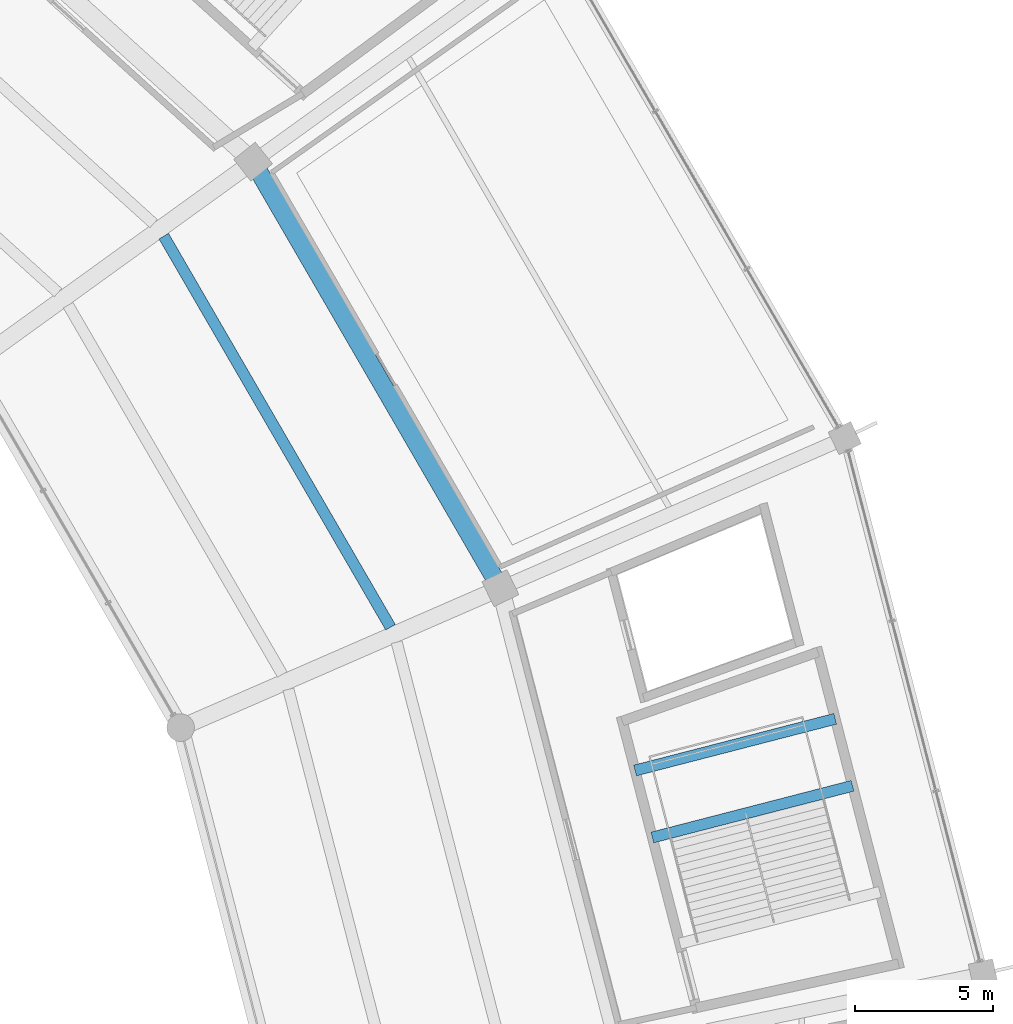
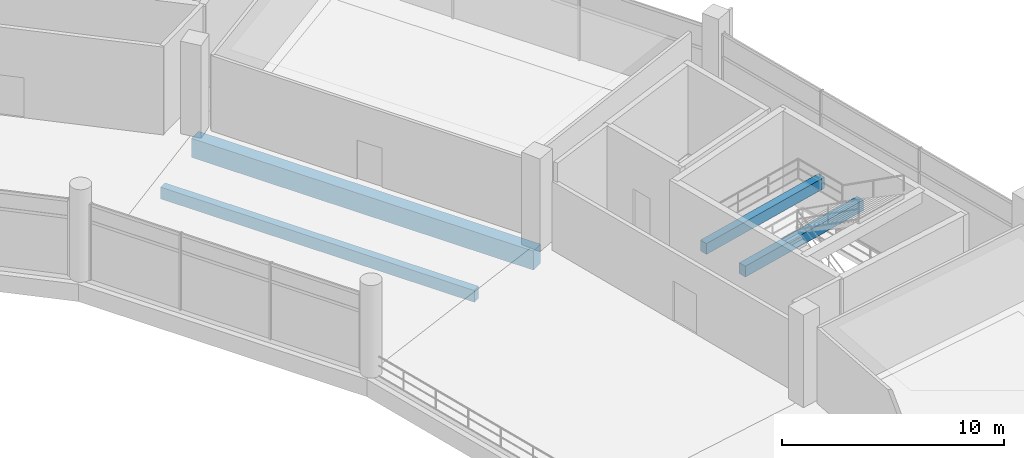
# One storey, part 84 of 184: 4 beams.
"""IFC4 building model written with IfcOpenShell, lengths in metres."""

from ifc_helpers import new_model, si_unit, direction, frame, origin, origin_2d, place, context, subcontext, project, spatial, rectangle, extrude, material, material_profile, profile_set, type_object, element, save


model = new_model("IFC4")

# Units and contexts
model_context = context("Model", 3, precision=1e-05, world=origin(), true_north=direction((0.0, 1.0)))
body_context = subcontext(model_context, "Body", "Model", "MODEL_VIEW")
ifc_project = project(units=[si_unit("LENGTHUNIT", "METRE"), si_unit("AREAUNIT", "SQUARE_METRE"), si_unit("VOLUMEUNIT", "CUBIC_METRE"), si_unit("PLANEANGLEUNIT", "RADIAN"), si_unit("MASSUNIT", "GRAM", prefix="KILO")], contexts=[model_context])

# Site, building, storey
site_placement = place(None, origin())
site = spatial("IfcSite", under=ifc_project, at=site_placement, CompositionType="ELEMENT")
building_placement = place(site_placement, origin())
building = spatial("IfcBuilding", under=site, at=building_placement, Name="Kazemori Nagisa Stadium", CompositionType="ELEMENT")
storey_placement = place(building_placement, frame((0.0, 0.0, 10.5400390625)))
storey = spatial("IfcBuildingStorey", under=building, at=storey_placement, Name="L02", CompositionType="ELEMENT", Elevation=10.5400390625)

# Beams
ifc_material = material(Name="Concrete C40/50 (Fc42)", Category="concrete")
ifc_material_profile_1 = material_profile(ifc_material, rectangle(XDim=0.39990234375, YDim=0.60009765625, at=origin_2d()), Name="RC-BM-400x600")
ifc_profile_set_1 = profile_set([ifc_material_profile_1], Name="Concrete C40/50 (Fc42)")
beam_type_1 = type_object("IfcBeamType", Name="Beam_BG-LND400X600", PredefinedType="BEAM", material=ifc_profile_set_1)
for number, where, z_axis, x_axis, name in (
    (1, (204.930908203125, 126.3173828125, 2.050048828125), (0.968250528141, 0.249981828849, 0.0), (-0.249981828849, 0.968250528141, 0.0), "Core stair mid-landing girder ST07-L02-1"),
    (2, (204.305908203125, 128.738037109375, 2.050048828125), (0.968250528141, 0.249981828849, 0.0), (-0.249981828849, 0.968250528141, 0.0), "Core stair mid-landing girder ST07-L02-2"),
):
    element("IfcBeam", number, at=place(storey_placement, frame(where, z_axis=z_axis, x_axis=x_axis)), inside=storey, type_object=beam_type_1, Name=name, PredefinedType="BEAM", context=body_context, shape_type="SweptSolid", body=[
        extrude(rectangle(XDim=0.39990234375, YDim=0.60009765625, at=origin_2d()), origin(), (0.0, 0.0, 1.0), 7.46826171875),
    ])
ifc_material_profile_2 = material_profile(ifc_material, rectangle(XDim=0.64990234375, YDim=1.050048828125, at=origin_2d()), Name="RC-BM-650x1050")
ifc_profile_set_2 = profile_set([ifc_material_profile_2], Name="Concrete C40/50 (Fc42)")
beam_type_2 = type_object("IfcBeamType", Name="Beam_BG-RC650X1050", PredefinedType="BEAM", material=ifc_profile_set_2)
beam_1_placement = place(storey_placement, frame((199.44091796875, 135.32470703125, -0.78515625), z_axis=(-0.501606704589, 0.865095783085, 0.0), x_axis=(-0.865095783085, -0.501606704589, 0.0)))
element("IfcBeam", 3, at=beam_1_placement, inside=storey, type_object=beam_type_2, Name="Ring girder BG-RC650X1050 L02 R2-03", PredefinedType="BEAM", context=body_context, shape_type="SweptSolid", body=[
    extrude(rectangle(XDim=0.64990234375, YDim=1.050048828125, at=origin_2d()), origin(), (0.0, 0.0, 1.0), 17.8125),
])
ifc_material_profile_3 = material_profile(ifc_material, rectangle(XDim=0.39990234375, YDim=0.64990234375, at=origin_2d()), Name="RC-BM-400x650")
ifc_profile_set_3 = profile_set([ifc_material_profile_3], Name="Concrete C40/50 (Fc42)")
beam_type_3 = type_object("IfcBeamType", Name="Beam_BJ-RC400X650", PredefinedType="JOIST", material=ifc_profile_set_3)
beam_2_placement = place(storey_placement, frame((195.470947265625, 133.91357421875, -0.5849609375), z_axis=(-0.501604213872, 0.865097227268, 0.0), x_axis=(-0.865097227268, -0.501604213872, 0.0)))
element("IfcBeam", 4, at=beam_2_placement, inside=storey, type_object=beam_type_3, Name="Concourse joist BJ-RC400X650 L02 B03-2", PredefinedType="JOIST", context=body_context, shape_type="SweptSolid", body=[
    extrude(rectangle(XDim=0.39990234375, YDim=0.64990234375, at=origin_2d()), origin(), (0.0, 0.0, 1.0), 16.331787109375),
])

save(model, "model.ifc")
